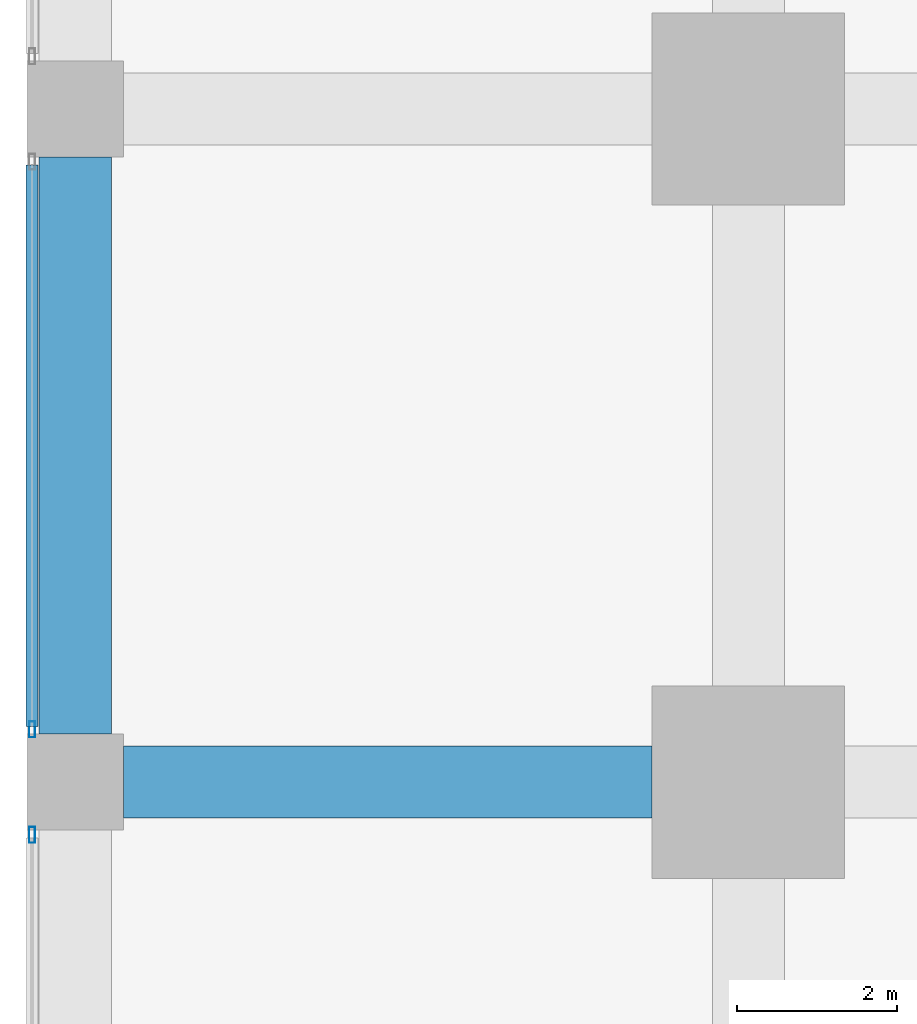
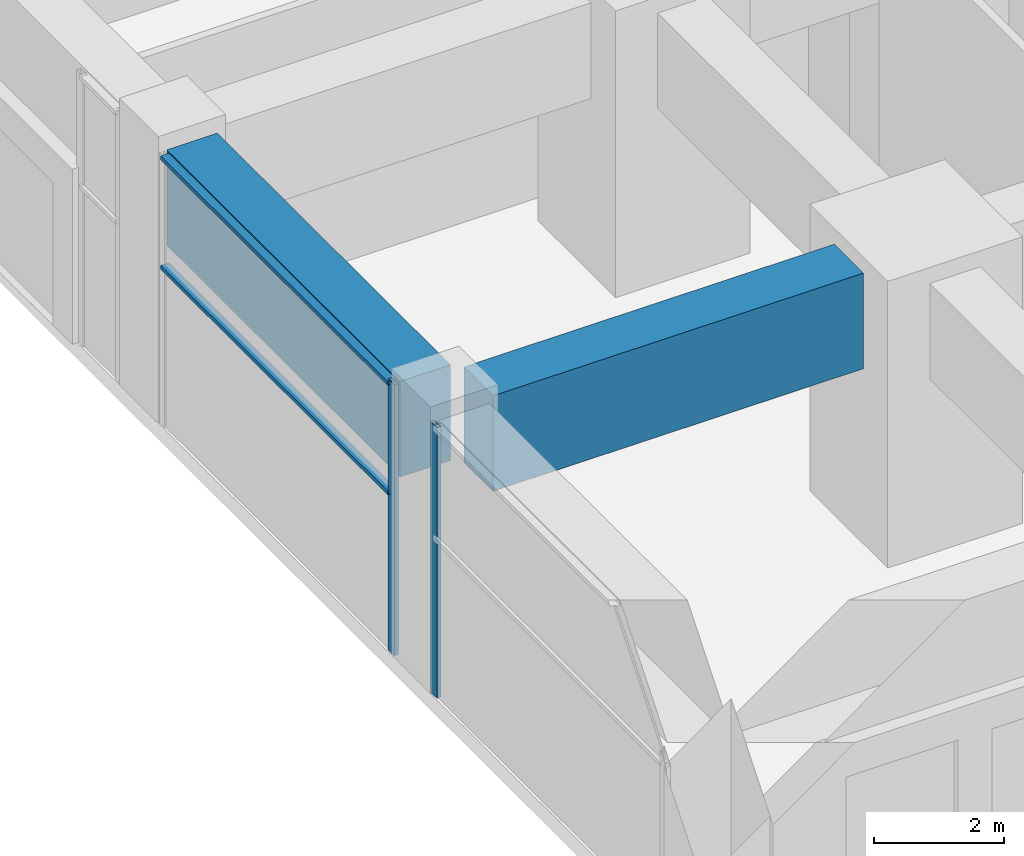
# One storey, part 5 of 81: 4 members, 2 beams, 2 elements without a shape of their own.
"""IFC4 building model written with IfcOpenShell, lengths in metres."""

from ifc_helpers import new_model, si_unit, direction, frame, origin, origin_2d, place, context, subcontext, project, spatial, rectangle, hollow_rectangle, extrude, material, material_profile, profile_set, type_object, element, aggregate, save


model = new_model("IFC4")

# Units and contexts
model_context = context("Model", 3, precision=1e-05, world=origin(), true_north=direction((0.0, 1.0)))
body_context = subcontext(model_context, "Body", "Model", "MODEL_VIEW")
ifc_project = project(units=[si_unit("LENGTHUNIT", "METRE"), si_unit("AREAUNIT", "SQUARE_METRE"), si_unit("VOLUMEUNIT", "CUBIC_METRE"), si_unit("PLANEANGLEUNIT", "RADIAN"), si_unit("MASSUNIT", "GRAM", prefix="KILO")], contexts=[model_context])

# Site, building, storey
site_placement = place(None, origin())
site = spatial("IfcSite", under=ifc_project, at=site_placement, CompositionType="ELEMENT")
building_placement = place(site_placement, origin())
building = spatial("IfcBuilding", under=site, at=building_placement, Name="Rekha Terrace Tower", CompositionType="ELEMENT")
storey_placement = place(building_placement, origin())
storey = spatial("IfcBuildingStorey", under=building, at=storey_placement, Name="L00", CompositionType="ELEMENT", Elevation=0.0)

# Curtain wall, member
ifc_material_1 = material(Name="Aluminium framing", Category="aluminium")
curtain_wall_type = type_object("IfcCurtainWallType", Name="CW4 podium shopfront glazing", PredefinedType="USERDEFINED", material=ifc_material_1)
curtain_wall_1_placement = place(storey_placement, origin())
curtain_wall_1 = element("IfcCurtainWall", 1, at=curtain_wall_1_placement, inside=storey, type_object=curtain_wall_type, Name="CW4 shopfront curtain wall", ObjectType="SHOPFRONT CURTAIN WALL", PredefinedType="USERDEFINED")
ifc_material_2 = material(Name="Aluminium mullion section", Category="aluminium")
ifc_material_profile_1 = material_profile(ifc_material_2, hollow_rectangle(XDim=0.074951171875, YDim=0.199951171875, WallThickness=0.00390625, at=origin_2d()), Name="AL RHS 75x200")
ifc_profile_set_1 = profile_set([ifc_material_profile_1], Name="Aluminium mullion section")
member_type_1 = type_object("IfcMemberType", Name="CW4 mullion RHS 75 x 200", PredefinedType="MULLION", material=ifc_profile_set_1)
member_1_placement = place(storey_placement, frame((-0.5400390625, 9.0576171875, 0.0), z_axis=(0.0, 0.0, 1.0), x_axis=(1.0, 0.0, 0.0)))
member_1 = element("IfcMember", 2, at=member_1_placement, type_object=member_type_1, Name="CW4 mullion 2", PredefinedType="MULLION", context=body_context, shape_type="SweptSolid", body=[
    extrude(hollow_rectangle(XDim=0.074951171875, YDim=0.199951171875, WallThickness=0.00390625, at=origin_2d()), origin(), (0.0, 0.0, 1.0), 5.10009765625),
])

curtain_wall_2_placement = place(storey_placement, origin())
curtain_wall_2 = element("IfcCurtainWall", 3, at=curtain_wall_2_placement, inside=storey, type_object=curtain_wall_type, Name="CW4 shopfront curtain wall", ObjectType="SHOPFRONT CURTAIN WALL", PredefinedType="USERDEFINED")
member_2_placement = place(storey_placement, frame((-0.5400390625, 7.742431640625, 0.0), z_axis=(0.0, 0.0, 1.0), x_axis=(1.0, 0.0, 0.0)))
member_2 = element("IfcMember", 4, at=member_2_placement, type_object=member_type_1, Name="CW4 mullion 1", PredefinedType="MULLION", context=body_context, shape_type="SweptSolid", body=[
    extrude(hollow_rectangle(XDim=0.074951171875, YDim=0.199951171875, WallThickness=0.00390625, at=origin_2d()), origin(), (0.0, 0.0, 1.0), 5.10009765625),
])
aggregate(curtain_wall_2, [member_2])

# Member
ifc_material_3 = material(Name="Aluminium transom section", Category="aluminium")
ifc_material_profile_2 = material_profile(ifc_material_3, hollow_rectangle(XDim=0.14990234375, YDim=0.074951171875, WallThickness=0.0029296875, at=origin_2d()), Name="AL RHS 150x75")
ifc_profile_set_2 = profile_set([ifc_material_profile_2], Name="Aluminium transom section")
member_type_2 = type_object("IfcMemberType", Name="CW4 transom RHS 75 x 150", PredefinedType="USERDEFINED", material=ifc_profile_set_2)
member_3_placement = place(storey_placement, frame((-0.5400390625, 16.10498046875, 3.0), z_axis=(0.0, -1.0, 0.0), x_axis=(1.0, 0.0, 0.0)))
member_3 = element("IfcMember", 5, at=member_3_placement, type_object=member_type_2, Name="CW4 transom 1.2", ObjectType="TRANSOM", PredefinedType="USERDEFINED", context=body_context, shape_type="SweptSolid", body=[
    extrude(hollow_rectangle(XDim=0.14990234375, YDim=0.074951171875, WallThickness=0.0029296875, at=origin_2d()), origin(), (0.0, 0.0, 1.0), 7.010009765625),
])

member_4_placement = place(storey_placement, frame((-0.5400390625, 16.10498046875, 5.0625), z_axis=(0.0, -1.0, 0.0), x_axis=(1.0, 0.0, 0.0)))
member_4 = element("IfcMember", 6, at=member_4_placement, type_object=member_type_2, Name="CW4 transom 1.3", ObjectType="TRANSOM", PredefinedType="USERDEFINED", context=body_context, shape_type="SweptSolid", body=[
    extrude(hollow_rectangle(XDim=0.14990234375, YDim=0.074951171875, WallThickness=0.0029296875, at=origin_2d()), origin(), (0.0, 0.0, 1.0), 7.010009765625),
])

aggregate(curtain_wall_1, [member_1, member_3, member_4])

# Beams
ifc_material_4 = material(Name="Concrete M60", Category="concrete")
ifc_material_profile_3 = material_profile(ifc_material_4, rectangle(XDim=0.89990234375, YDim=1.800048828125, at=origin_2d()), Name="RC 900x1800")
ifc_profile_set_3 = profile_set([ifc_material_profile_3], Name="Concrete M60")
beam_type = type_object("IfcBeamType", Name="G1 900x1800 podium floor beam", PredefinedType="BEAM", material=ifc_profile_set_3)
beam_1_placement = place(storey_placement, frame((0.60009765625, 8.39990234375, 4.199951171875), z_axis=(1.0, 0.0, 0.0), x_axis=(0.0, 1.0, 0.0)))
element("IfcBeam", 7, at=beam_1_placement, inside=storey, type_object=beam_type, Name="Beam G1 1B-2B under L01", PredefinedType="BEAM", context=body_context, shape_type="SweptSolid", body=[
    extrude(rectangle(XDim=0.89990234375, YDim=1.800048828125, at=origin_2d()), origin(), (0.0, 0.0, 1.0), 6.599853515625),
])
beam_2_placement = place(storey_placement, frame((0.0, 9.0, 4.199951171875), z_axis=(0.0, 1.0, 0.0), x_axis=(-1.0, 0.0, 0.0)))
element("IfcBeam", 8, at=beam_2_placement, inside=storey, type_object=beam_type, Name="Beam G1 1B-1C under L01", PredefinedType="BEAM", context=body_context, shape_type="SweptSolid", body=[
    extrude(rectangle(XDim=0.89990234375, YDim=1.800048828125, at=origin_2d()), origin(), (0.0, 0.0, 1.0), 7.199951171875),
])

save(model, "model.ifc")
